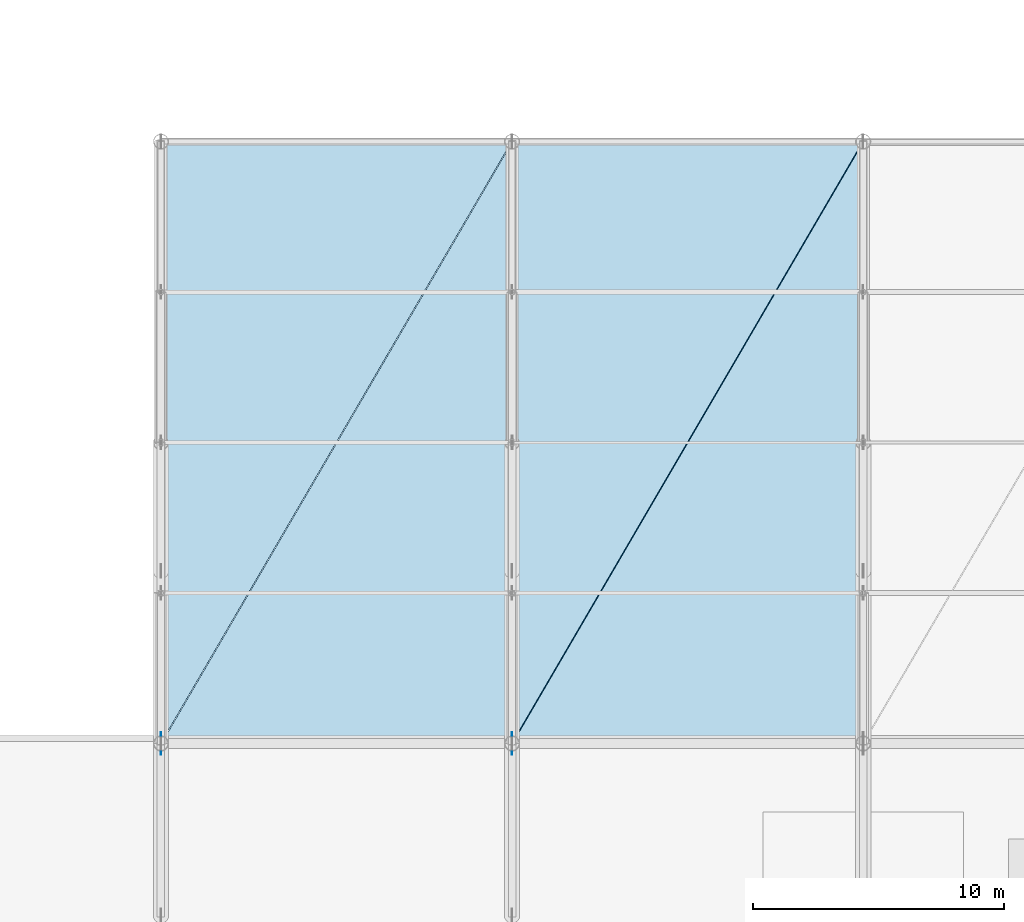
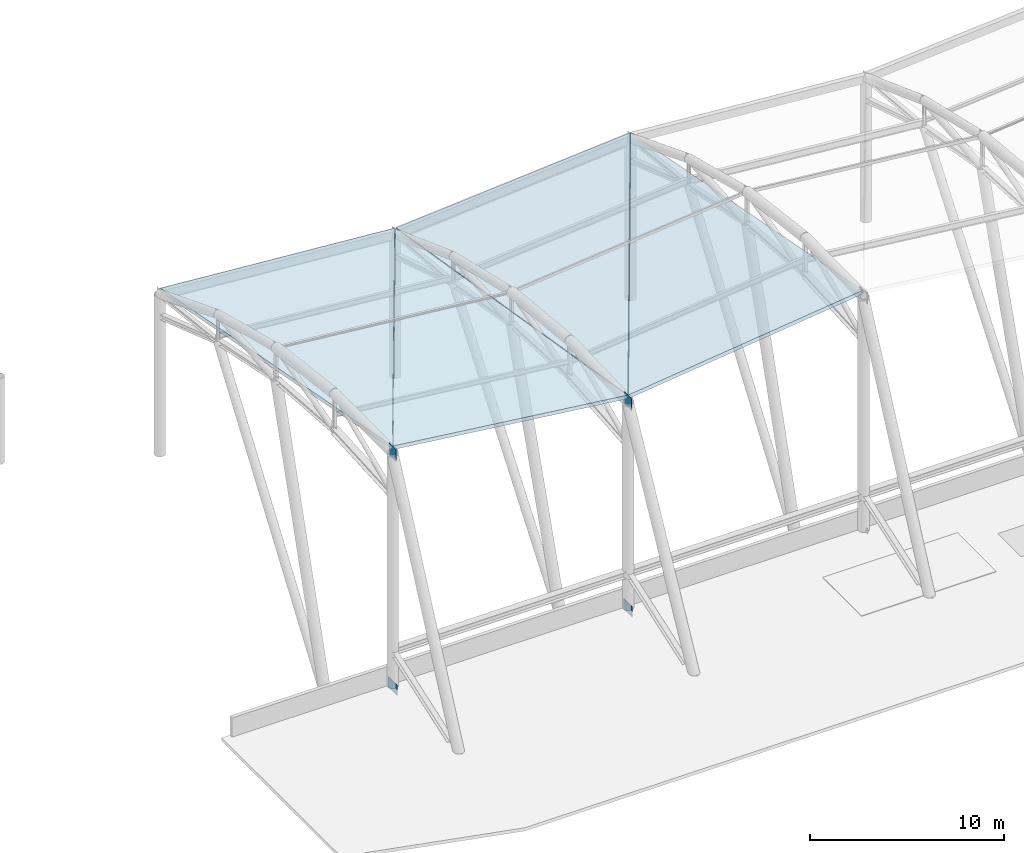
# One storey, part 58 of 90: 4 plates, 4 slabs.
"""IFC4 building model written with IfcOpenShell, lengths in metres."""

from ifc_helpers import new_model, si_unit, direction, frame, origin, origin_2d, place, context, subcontext, project, spatial, polyline, rectangle, outline, extrude, material, layer, layer_set, type_object, element, save


model = new_model("IFC4")

# Units and contexts
model_context = context("Model", 3, precision=1e-05, world=origin(), true_north=direction((0.0, 1.0)))
body_context = subcontext(model_context, "Body", "Model", "MODEL_VIEW")
ifc_project = project(units=[si_unit("LENGTHUNIT", "METRE"), si_unit("AREAUNIT", "SQUARE_METRE"), si_unit("VOLUMEUNIT", "CUBIC_METRE"), si_unit("PLANEANGLEUNIT", "RADIAN"), si_unit("MASSUNIT", "GRAM", prefix="KILO")], contexts=[model_context])

# Site, building, storey
site_placement = place(None, origin())
site = spatial("IfcSite", under=ifc_project, at=site_placement, CompositionType="ELEMENT")
building_placement = place(site_placement, origin())
building = spatial("IfcBuilding", under=site, at=building_placement, Name="Linyun Crest Stadium", CompositionType="ELEMENT")
storey_placement = place(building_placement, frame((0.0, 0.0, 21.0)))
storey = spatial("IfcBuildingStorey", under=building, at=storey_placement, Name="L05", CompositionType="ELEMENT", Elevation=21.0)

# Plates
ifc_material_1 = material(Name="Steel Q420C", Category="steel")
ifc_layer_1 = layer(ifc_material_1, 0.02392578125)
ifc_layer_set_1 = layer_set([ifc_layer_1], Name="Steel Q420C")
plate_type_1 = type_object("IfcPlateType", Name="EP02", PredefinedType="USERDEFINED", material=ifc_layer_set_1)
for number, where, z_axis, x_axis, name in (
    (1, (-28.0, -73.5, 14.27001953125), (0.0, 0.0, 1.0), (0.0, 1.0, 0.0), "Roof mast cap end plate EP02 274"),
    (2, (-14.0, -73.5, 12.56982421875), (0.0, 0.0, 1.0), (0.0, 1.0, 0.0), "Roof mast cap end plate EP02 287"),
):
    element("IfcPlate", number, at=place(storey_placement, frame(where, z_axis=z_axis, x_axis=x_axis)), inside=storey, type_object=plate_type_1, Name=name, ObjectType="END PLATE", PredefinedType="USERDEFINED", context=body_context, shape_type="SweptSolid", body=[
        extrude(rectangle(XDim=0.760009765625, YDim=0.02392578125, at=origin_2d()), origin(), (0.0, 0.0, 1.0), 0.760009765625),
    ])
ifc_material_2 = material(Name="Steel Q420C", Category="steel")
ifc_layer_2 = layer(ifc_material_2, 0.031982421875)
ifc_layer_set_2 = layer_set([ifc_layer_2], Name="Steel Q420C")
plate_type_2 = type_object("IfcPlateType", Name="NP03", PredefinedType="USERDEFINED", material=ifc_layer_set_2)
for number, where, z_axis, x_axis, name in (
    (3, (-28.0, -73.5, -0.3798828125), (0.0, 0.0, 1.0), (0.0, 1.0, 0.0), "Roof mast base gusset plate NP03 275"),
    (4, (-14.0, -73.5, -0.3798828125), (0.0, 0.0, 1.0), (0.0, 1.0, 0.0), "Roof mast base gusset plate NP03 288"),
):
    element("IfcPlate", number, at=place(storey_placement, frame(where, z_axis=z_axis, x_axis=x_axis)), inside=storey, type_object=plate_type_2, Name=name, ObjectType="GUSSET PLATE", PredefinedType="USERDEFINED", context=body_context, shape_type="SweptSolid", body=[
        extrude(rectangle(XDim=0.89990234375, YDim=0.031982421875, at=origin_2d()), origin(), (0.0, 0.0, 1.0), 0.64990234375),
    ])

# Slabs
ifc_material_3 = material(Name="Concrete C40", Category="concrete")
ifc_layer_3 = layer(ifc_material_3, 0.205078125)
ifc_layer_set_3 = layer_set([ifc_layer_3], Name="Concrete C40")
slab_type_1 = type_object("IfcSlabType", Name="RS01", PredefinedType="ROOF", material=ifc_layer_set_3)
slab_1_placement = place(storey_placement, frame((-27.9619140625, -73.467041015625, 15.0), z_axis=(0.118929603164, 0.163316871476, 0.979379062969), x_axis=(0.99269299789, 0.000712966628, -0.120665254394)))
element("IfcSlab", 5, at=slab_1_placement, inside=storey, type_object=slab_type_1, Name="Wave canopy roof deck RS01 V4 37", PredefinedType="ROOF", context=body_context, shape_type="SweptSolid", body=[
    extrude(outline(polyline([(0.0, 0.0), (14.03959909898505, 5.551115123125783e-17), (14.54879839476578, 24.233951866963565), (0.0, 0.0)])), origin(), (0.0, 0.0, -1.0), 0.205078125),
])
slab_2_placement = place(storey_placement, frame((-13.9619140625, -73.467041015625, 13.308349609375), z_axis=(-0.11842007737, 0.186842282809, 0.975226459152), x_axis=(0.992724210107, 0.000712989045, 0.120408198696)))
element("IfcSlab", 6, at=slab_2_placement, inside=storey, type_object=slab_type_1, Name="Wave canopy roof deck RS01 V4 39", PredefinedType="ROOF", context=body_context, shape_type="SweptSolid", body=[
    extrude(outline(polyline([(0.0, 0.0), (14.039157680301338, 0.0), (13.515720116008753, 24.33790746693408), (0.0, 0.0)])), origin(), (0.0, 0.0, -1.0), 0.205078125),
])
ifc_material_4 = material(Name="Concrete C40", Category="concrete")
ifc_layer_4 = layer(ifc_material_4, 0.215087890625)
ifc_layer_set_4 = layer_set([ifc_layer_4], Name="Concrete C40")
slab_type_2 = type_object("IfcSlabType", Name="RS02", PredefinedType="ROOF", material=ifc_layer_set_4)
slab_3_placement = place(storey_placement, frame((-27.986083984375, -73.451904296875, 14.999755859375), z_axis=(0.07722592293, 0.187604234629, 0.979204170731), x_axis=(0.493458678223, 0.846215428101, -0.201042239665)))
element("IfcSlab", 7, at=slab_3_placement, inside=storey, type_object=slab_type_2, Name="Wave canopy roof deck RS02 V4 38", PredefinedType="ROOF", context=body_context, shape_type="SweptSolid", body=[
    extrude(outline(polyline([(0.0, 0.0), (28.265787313953684, 1.7208456881689926e-15), (21.158615087762588, 12.039138807507646), (0.0, 0.0)])), origin(), (0.0, 0.0, -1.0), 0.215087890625),
])
slab_4_placement = place(storey_placement, frame((-13.986083984375, -73.451904296875, 13.302978515625), z_axis=(-0.077535234089, 0.163979457599, 0.983411930454), x_axis=(0.50102461136, 0.859189988345, -0.103763686993)))
element("IfcSlab", 8, at=slab_4_placement, inside=storey, type_object=slab_type_2, Name="Wave canopy roof deck RS02 V4 40", PredefinedType="ROOF", context=body_context, shape_type="SweptSolid", body=[
    extrude(outline(polyline([(0.0, 0.0), (27.838947889232642, -5.551115123125783e-16), (20.961407912603413, 12.17142626258322), (0.0, 0.0)])), origin(), (0.0, 0.0, -1.0), 0.215087890625),
])

save(model, "model.ifc")
